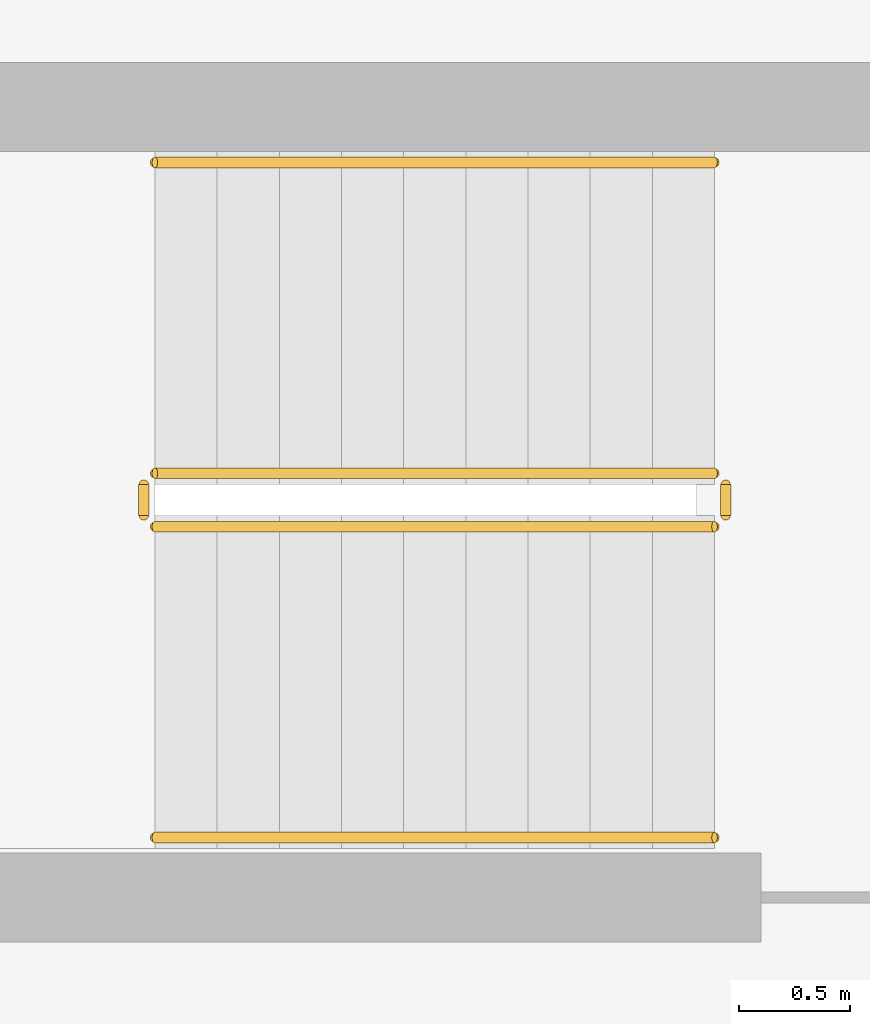
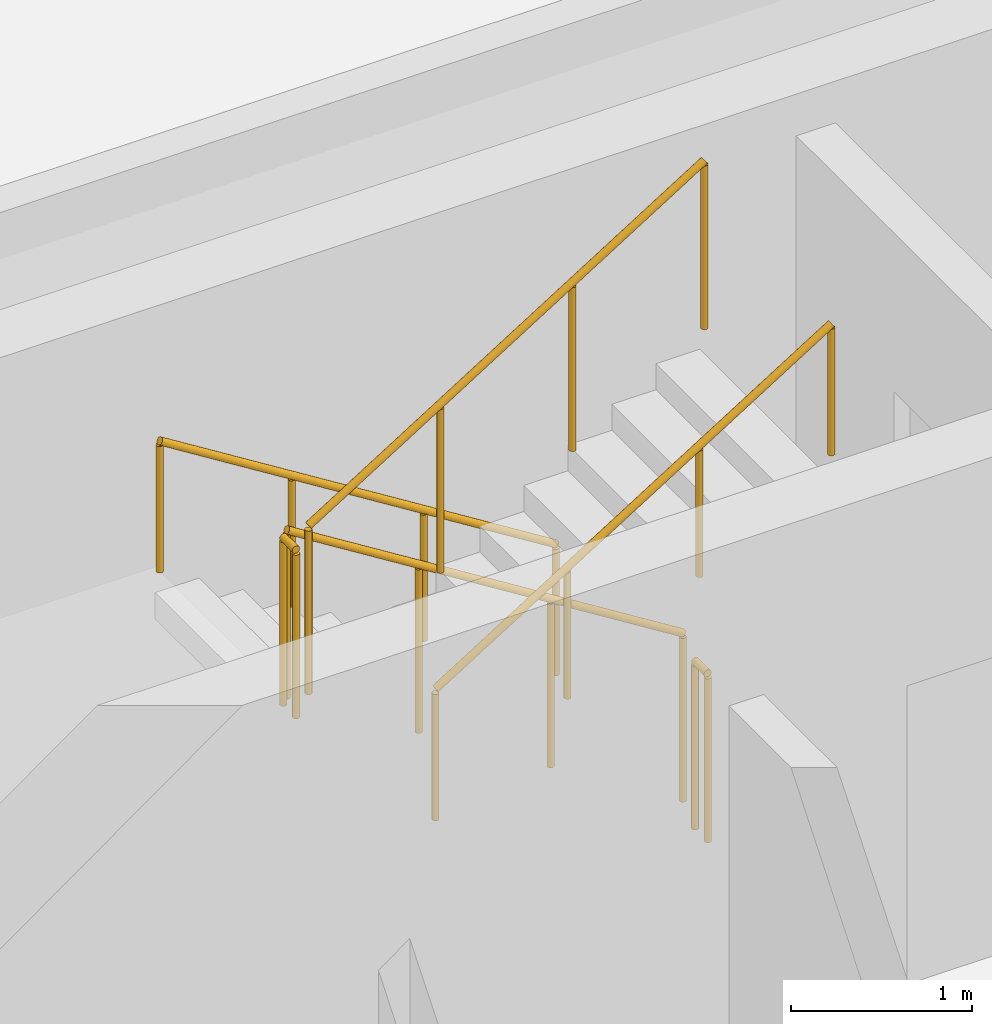
# One storey, part 13 of 14: 6 railings.
"""IFC4 building model written with IfcOpenShell, lengths in metres."""

from ifc_helpers import new_model, si_unit, derived_unit, direction, frame, origin, origin_2d, place, context, subcontext, project, spatial, circle, extrude, material, type_object, element, save


model = new_model("IFC4")

# Units and contexts
model_context = context("Model", 3, precision=1e-05, world=origin(), true_north=direction((0.0, 1.0)))
body_context = subcontext(model_context, "Body", "Model", "MODEL_VIEW")
ifc_project = project(units=[si_unit("LENGTHUNIT", "METRE"), si_unit("AREAUNIT", "SQUARE_METRE"), si_unit("VOLUMEUNIT", "CUBIC_METRE"), si_unit("PLANEANGLEUNIT", "RADIAN"), si_unit("MASSUNIT", "GRAM", prefix="KILO"), derived_unit("THERMALTRANSMITTANCEUNIT", [(si_unit("POWERUNIT", "WATT"), 1), (si_unit("LENGTHUNIT", "METRE"), -2), (si_unit("THERMODYNAMICTEMPERATUREUNIT", "KELVIN"), -1)])], contexts=[model_context])

# Site, building, storey
site_placement = place(None, origin())
site = spatial("IfcSite", under=ifc_project, at=site_placement, CompositionType="ELEMENT")
building_placement = place(site_placement, origin())
building = spatial("IfcBuilding", under=site, at=building_placement, Name="Kivonza Crest Hotel", CompositionType="ELEMENT")
storey_placement = place(building_placement, frame((0.0, 0.0, 148.5)))
storey = spatial("IfcBuildingStorey", under=building, at=storey_placement, Name="L40", CompositionType="ELEMENT", Elevation=148.5)

# Railings
ifc_material_1 = material(Name="Brushed stainless steel handrail", Category="steel")
railing_type_1 = type_object("IfcRailingType", Name="RL-HAND-900", PredefinedType="HANDRAIL", material=ifc_material_1)
railing_1_placement = place(storey_placement, frame((12.239990234375, 36.110107421875, 0.175048828125)))
element("IfcRailing", 1, at=railing_1_placement, inside=storey, type_object=railing_type_1, Name="L40 ST-T1-N stair handrail 1", PredefinedType="HANDRAIL", context=body_context, shape_type="SweptSolid", body=[
    extrude(circle(Radius=0.02392578125, at=origin_2d()), frame((0.0, 0.0, 0.8759765625), z_axis=(-0.848007534815, 0.0, 0.529984170421), x_axis=(0.0, -1.0, 0.0)), (0.0, 0.0, 1.0), 2.9716796875),
    extrude(circle(Radius=0.02099609375, at=origin_2d()), origin(), (0.0, 0.0, 1.0), 0.851806640625),
    extrude(circle(Radius=0.02099609375, at=origin_2d()), frame((-0.840087890625, 0.0, 0.52490234375)), (0.0, 0.0, 1.0), 0.851806640625),
    extrude(circle(Radius=0.02099609375, at=origin_2d()), frame((-1.679931640625, 0.0, 1.050048828125)), (0.0, 0.0, 1.0), 0.851806640625),
    extrude(circle(Radius=0.02099609375, at=origin_2d()), frame((-2.52001953125, 0.0, 1.574951171875)), (0.0, 0.0, 1.0), 0.851806640625),
])
railing_2_placement = place(storey_placement, frame((9.719970703125, 33.070068359375, 1.925048828125)))
element("IfcRailing", 2, at=railing_2_placement, inside=storey, type_object=railing_type_1, Name="L40 ST-T1-N stair handrail 2", PredefinedType="HANDRAIL", context=body_context, shape_type="SweptSolid", body=[
    extrude(circle(Radius=0.02392578125, at=origin_2d()), frame((0.0, 0.0, 0.8759765625), z_axis=(0.848007534815, 0.0, 0.529984170421), x_axis=(0.0, 1.0, 0.0)), (0.0, 0.0, 1.0), 2.9716796875),
    extrude(circle(Radius=0.02099609375, at=origin_2d()), origin(), (0.0, 0.0, 1.0), 0.851806640625),
    extrude(circle(Radius=0.02099609375, at=origin_2d()), frame((0.840087890625, 0.0, 0.52490234375)), (0.0, 0.0, 1.0), 0.851806640625),
    extrude(circle(Radius=0.02099609375, at=origin_2d()), frame((1.679931640625, 0.0, 1.050048828125)), (0.0, 0.0, 1.0), 0.851806640625),
    extrude(circle(Radius=0.02099609375, at=origin_2d()), frame((2.52001953125, 0.0, 1.574951171875)), (0.0, 0.0, 1.0), 0.851806640625),
])
ifc_material_2 = material(Name="Painted steel balustrade", Category="steel")
railing_type_2 = type_object("IfcRailingType", Name="RL-STAIR-1150", PredefinedType="BALUSTRADE", material=ifc_material_2)
railing_3_placement = place(storey_placement, frame((12.239990234375, 34.7099609375, 0.175048828125)))
element("IfcRailing", 3, at=railing_3_placement, inside=storey, type_object=railing_type_2, Name="L40 ST-T1-N stair guard 1", PredefinedType="BALUSTRADE", context=body_context, shape_type="SweptSolid", body=[
    extrude(circle(Radius=0.02392578125, at=origin_2d()), frame((0.0, 0.0, 1.1259765625), z_axis=(-0.848007534815, 0.0, 0.529984170421), x_axis=(0.0, -1.0, 0.0)), (0.0, 0.0, 1.0), 2.9716796875),
    extrude(circle(Radius=0.02099609375, at=origin_2d()), origin(), (0.0, 0.0, 1.0), 1.101806640625),
    extrude(circle(Radius=0.02099609375, at=origin_2d()), frame((-0.840087890625, 0.0, 0.52490234375)), (0.0, 0.0, 1.0), 1.101806640625),
    extrude(circle(Radius=0.02099609375, at=origin_2d()), frame((-1.679931640625, 0.0, 1.050048828125)), (0.0, 0.0, 1.0), 1.101806640625),
    extrude(circle(Radius=0.02099609375, at=origin_2d()), frame((-2.52001953125, 0.0, 1.574951171875)), (0.0, 0.0, 1.0), 1.101806640625),
])
railing_4_placement = place(storey_placement, frame((9.669921875, 34.659912109375, 1.75)))
element("IfcRailing", 4, at=railing_4_placement, inside=storey, type_object=railing_type_2, Name="L40 ST-T1-N stair guard 2", PredefinedType="BALUSTRADE", context=body_context, shape_type="SweptSolid", body=[
    extrude(circle(Radius=0.02392578125, at=origin_2d()), frame((0.0, 0.0, 1.1259765625), z_axis=(0.0, -1.0, 0.0), x_axis=(1.0, 0.0, 0.0)), (0.0, 0.0, 1.0), 0.139892578125),
    extrude(circle(Radius=0.02099609375, at=origin_2d()), origin(), (0.0, 0.0, 1.0), 1.101806640625),
    extrude(circle(Radius=0.02099609375, at=origin_2d()), frame((0.0, -0.139892578125, 0.0)), (0.0, 0.0, 1.0), 1.101806640625),
])
railing_5_placement = place(storey_placement, frame((9.719970703125, 34.469970703125, 1.925048828125)))
element("IfcRailing", 5, at=railing_5_placement, inside=storey, type_object=railing_type_2, Name="L40 ST-T1-N stair guard 3", PredefinedType="BALUSTRADE", context=body_context, shape_type="SweptSolid", body=[
    extrude(circle(Radius=0.02392578125, at=origin_2d()), frame((0.0, 0.0, 1.1259765625), z_axis=(0.848007534815, 0.0, 0.529984170421), x_axis=(0.0, 1.0, 0.0)), (0.0, 0.0, 1.0), 2.9716796875),
    extrude(circle(Radius=0.02099609375, at=origin_2d()), origin(), (0.0, 0.0, 1.0), 1.101806640625),
    extrude(circle(Radius=0.02099609375, at=origin_2d()), frame((0.840087890625, 0.0, 0.52490234375)), (0.0, 0.0, 1.0), 1.101806640625),
    extrude(circle(Radius=0.02099609375, at=origin_2d()), frame((1.679931640625, 0.0, 1.050048828125)), (0.0, 0.0, 1.0), 1.101806640625),
    extrude(circle(Radius=0.02099609375, at=origin_2d()), frame((2.52001953125, 0.0, 1.574951171875)), (0.0, 0.0, 1.0), 1.101806640625),
])
railing_6_placement = place(storey_placement, frame((12.2900390625, 34.659912109375, 0.0)))
element("IfcRailing", 6, at=railing_6_placement, inside=storey, type_object=railing_type_2, Name="L40 ST-T1-N stair guard 4", PredefinedType="BALUSTRADE", context=body_context, shape_type="SweptSolid", body=[
    extrude(circle(Radius=0.02392578125, at=origin_2d()), frame((0.0, 0.0, 1.1259765625), z_axis=(0.0, -1.0, 0.0), x_axis=(1.0, 0.0, 0.0)), (0.0, 0.0, 1.0), 0.139892578125),
    extrude(circle(Radius=0.02099609375, at=origin_2d()), origin(), (0.0, 0.0, 1.0), 1.101806640625),
    extrude(circle(Radius=0.02099609375, at=origin_2d()), frame((0.0, -0.139892578125, 0.0)), (0.0, 0.0, 1.0), 1.101806640625),
])

save(model, "model.ifc")
